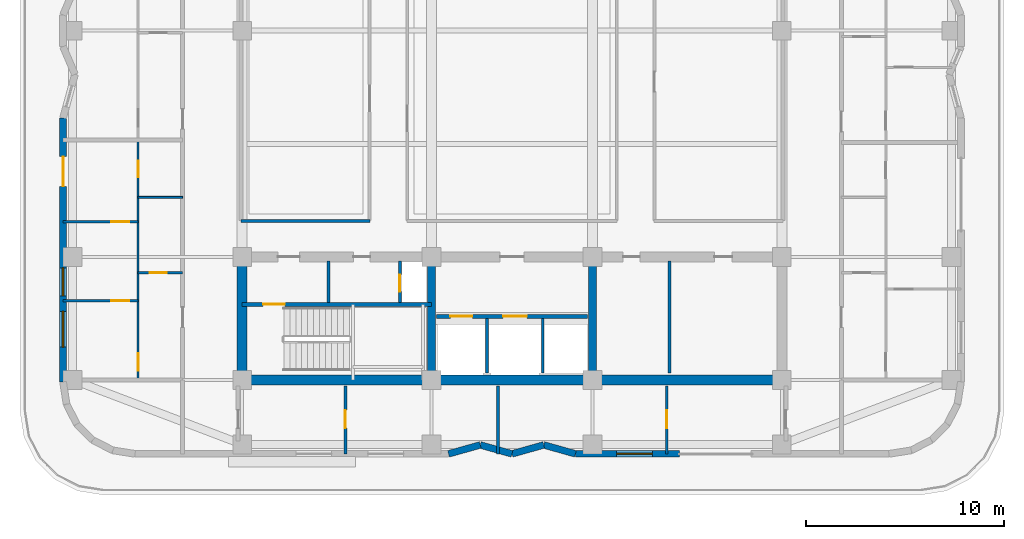
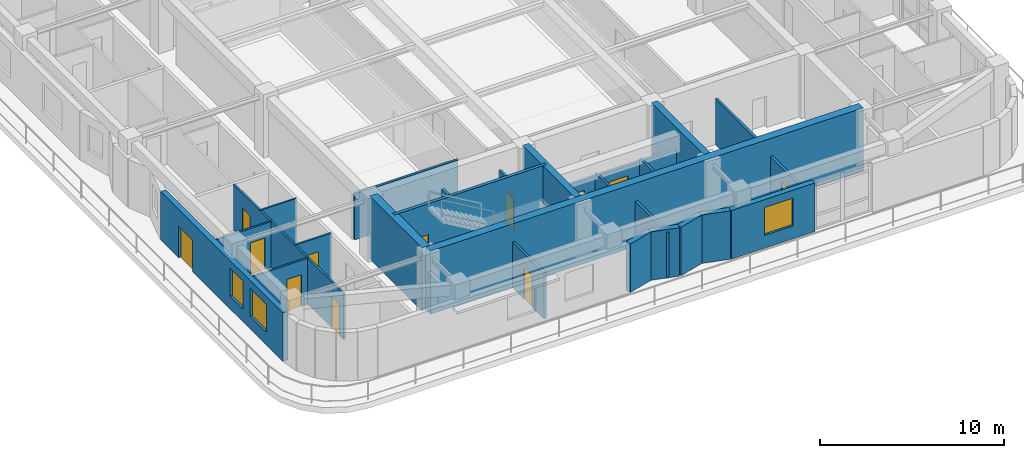
# One storey, part 6 of 14: 26 walls, 12 doors, 3 windows, 15 openings.
"""IFC4 building model written with IfcOpenShell, lengths in metres."""

from ifc_helpers import new_model, si_unit, direction, frame, frame_2d, origin, place, context, subcontext, project, spatial, rectangle, extrude, material, layer, layer_set, type_object, element, fill, save


model = new_model("IFC4")

# Units and contexts
model_context = context("Model", 3, precision=1e-05, world=origin(), true_north=direction((0.0, 1.0)))
body_context = subcontext(model_context, "Body", "Model", "MODEL_VIEW")
ifc_project = project(units=[si_unit("LENGTHUNIT", "METRE"), si_unit("AREAUNIT", "SQUARE_METRE"), si_unit("VOLUMEUNIT", "CUBIC_METRE"), si_unit("PLANEANGLEUNIT", "RADIAN"), si_unit("MASSUNIT", "GRAM", prefix="KILO")], contexts=[model_context])

# Site, building, storey
site_placement = place(None, origin())
site = spatial("IfcSite", under=ifc_project, at=site_placement, CompositionType="ELEMENT")
building_placement = place(site_placement, origin())
building = spatial("IfcBuilding", under=site, at=building_placement, Name="Svetorya Sky Lyceum", CompositionType="ELEMENT")
storey_placement = place(building_placement, frame((0.0, 0.0, 143.60009765625)))
storey = spatial("IfcBuildingStorey", under=building, at=storey_placement, Name="L35", CompositionType="ELEMENT", Elevation=143.60009765625)

# Walls
ifc_material_1 = material(Name="Concrete C40/50", Category="concrete")
ifc_layer_1 = layer(ifc_material_1, 0.39990234375)
ifc_layer_set_1 = layer_set([ifc_layer_1], Name="Concrete C40/50")
wall_type_1 = type_object("IfcWallType", Name="WL-CORE-400", PredefinedType="SHEAR", material=ifc_layer_set_1)
for number, where, z_axis, x_axis, name in (
    (1, (35.14990234375, 10.85009765625, 0.0), (0.0, 0.0, 1.0), (0.0, 1.0, 0.0), "L35 SC Internal Shear Web WEB1"),
    (2, (43.25, 10.85009765625, 0.0), (0.0, 0.0, 1.0), (0.0, 1.0, 0.0), "L35 SC Internal Shear Web WEB2"),
):
    element("IfcWall", number, at=place(storey_placement, frame(where, z_axis=z_axis, x_axis=x_axis)), inside=storey, type_object=wall_type_1, Name=name, PredefinedType="SHEAR", context=body_context, shape_type="SweptSolid", body=[
        extrude(rectangle(XDim=5.699951171875, YDim=0.39990234375, at=frame_2d((2.85009765625, 0.0))), origin(), (0.0, 0.0, 1.0), 4.199951171875),
    ])
ifc_material_2 = material(Name="Concrete C50/60", Category="concrete")
ifc_layer_2 = layer(ifc_material_2, 0.5)
ifc_layer_set_2 = layer_set([ifc_layer_2], Name="Concrete C50/60")
wall_type_2 = type_object("IfcWallType", Name="WL-CORE-500", PredefinedType="SHEAR", material=ifc_layer_set_2)
wall_1_placement = place(storey_placement, frame((52.800048828125, 10.60009765625, 0.0), z_axis=(0.0, 0.0, 1.0), x_axis=(-1.0, 0.0, 0.0)))
element("IfcWall", 3, at=wall_1_placement, inside=storey, type_object=wall_type_2, Name="L35 SC Outer Core Shear Wall", PredefinedType="SHEAR", context=body_context, shape_type="SweptSolid", body=[
    extrude(rectangle(XDim=27.199951171875, YDim=0.5, at=frame_2d((13.60009765625, 0.0))), origin(), (0.0, 0.0, 1.0), 4.199951171875),
])
wall_2_placement = place(storey_placement, frame((25.60009765625, 10.85009765625, 0.0), z_axis=(0.0, 0.0, 1.0), x_axis=(0.0, 1.0, 0.0)))
element("IfcWall", 4, at=wall_2_placement, inside=storey, type_object=wall_type_2, Name="L35 SC West Core Shear Wall", PredefinedType="SHEAR", context=body_context, shape_type="SweptSolid", body=[
    extrude(rectangle(XDim=5.699951171875, YDim=0.5, at=frame_2d((2.85009765625, 0.0))), origin(), (0.0, 0.0, 1.0), 4.199951171875),
])
ifc_material_3 = material(Name="Putilovo limestone rainscreen on autoclaved cellular masonry", Category="masonry")
ifc_layer_3 = layer(ifc_material_3, 0.340087890625)
ifc_layer_set_3 = layer_set([ifc_layer_3], Name="Putilovo limestone rainscreen on autoclaved cellular masonry")
wall_type_3 = type_object("IfcWallType", Name="WL-EXT-340", PredefinedType="SOLIDWALL", material=ifc_layer_set_3)
wall_3_placement = place(storey_placement, frame((36.0, 6.8701171875, 0.0), z_axis=(0.0, 0.0, 1.0), x_axis=(0.962662902433, 0.270703040766, 0.0)))
element("IfcWall", 5, at=wall_3_placement, inside=storey, type_object=wall_type_3, Name="L35 Limestone Exterior Wall 7M", PredefinedType="SOLIDWALL", context=body_context, shape_type="SweptSolid", body=[
    extrude(rectangle(XDim=1.662109375, YDim=0.340087890625, at=frame_2d((0.8310546875, 0.0))), origin(), (0.0, 0.0, 1.0), 3.219970703125),
])
wall_4_placement = place(storey_placement, frame((37.60009765625, 7.320068359375, 0.0), z_axis=(0.0, 0.0, 1.0), x_axis=(0.962652136636, -0.270741322725, 0.0)))
element("IfcWall", 6, at=wall_4_placement, inside=storey, type_object=wall_type_3, Name="L35 Limestone Exterior Wall 8M", PredefinedType="SOLIDWALL", context=body_context, shape_type="SweptSolid", body=[
    extrude(rectangle(XDim=1.661865234375, YDim=0.340087890625, at=frame_2d((0.8310546875, 0.0))), origin(), (0.0, 0.0, 1.0), 3.219970703125),
])
wall_5_placement = place(storey_placement, frame((39.199951171875, 6.8701171875, 0.0), z_axis=(0.0, 0.0, 1.0), x_axis=(0.962662902433, 0.270703040766, 0.0)))
element("IfcWall", 7, at=wall_5_placement, inside=storey, type_object=wall_type_3, Name="L35 Limestone Exterior Wall 9M", PredefinedType="SOLIDWALL", context=body_context, shape_type="SweptSolid", body=[
    extrude(rectangle(XDim=1.662109375, YDim=0.340087890625, at=frame_2d((0.8310546875, 0.0))), origin(), (0.0, 0.0, 1.0), 3.219970703125),
])
wall_6_placement = place(storey_placement, frame((40.800048828125, 7.320068359375, 0.0), z_axis=(0.0, 0.0, 1.0), x_axis=(0.962652136636, -0.270741322725, 0.0)))
element("IfcWall", 8, at=wall_6_placement, inside=storey, type_object=wall_type_3, Name="L35 Limestone Exterior Wall 10M", PredefinedType="SOLIDWALL", context=body_context, shape_type="SweptSolid", body=[
    extrude(rectangle(XDim=1.661865234375, YDim=0.340087890625, at=frame_2d((0.8310546875, 0.0))), origin(), (0.0, 0.0, 1.0), 3.219970703125),
])

# Wall, opening, window
wall_7_placement = place(storey_placement, frame((42.39990234375, 6.8701171875, 0.0), z_axis=(0.0, 0.0, 1.0), x_axis=(1.0, 0.0, 0.0)))
wall_7 = element("IfcWall", 9, at=wall_7_placement, inside=storey, type_object=wall_type_3, Name="L35 Limestone Exterior Wall 11A", PredefinedType="SOLIDWALL", context=body_context, shape_type="SweptSolid", body=[
    extrude(rectangle(XDim=5.25, YDim=0.340087890625, at=frame_2d((2.625, 0.0))), origin(), (0.0, 0.0, 1.0), 3.219970703125),
])
opening_1_placement = place(wall_7_placement, frame((2.074951171875, 0.0, 0.85009765625)))
opening_1 = element("IfcOpeningElement", 10, at=opening_1_placement, cuts=wall_7, Name="Opening W-R1", PredefinedType="OPENING", context=body_context, shape_type="SweptSolid", body=[
    extrude(rectangle(XDim=1.800048828125, YDim=1.85009765625, at=frame_2d((0.89990234375, 0.925048828125))), frame((0.0, 0.179931640625, 0.0), z_axis=(0.0, -1.0, 0.0), x_axis=(1.0, 0.0, 0.0)), (0.0, 0.0, 1.0), 0.360107421875),
])
ifc_material_4 = material(Name="Thermally broken aluminium frame with triple low-E glazing", Category="aluminium")
window_type_1 = type_object("IfcWindowType", Name="WN-RES-180", PartitioningType="DOUBLE_PANEL_VERTICAL", PredefinedType="WINDOW", material=ifc_material_4)
window_1_placement = place(opening_1_placement, origin())
window_1 = element("IfcWindow", 11, at=window_1_placement, inside=storey, type_object=window_type_1, Name="L35 Facade Window W-R1.11A.1", OverallHeight=1.85009765625, OverallWidth=1.800048828125, PartitioningType="SINGLE_PANEL", PredefinedType="WINDOW", context=body_context, shape_type="SweptSolid", body=[
    extrude(rectangle(XDim=1.800048828125, YDim=1.85009765625, at=frame_2d((0.89990234375, 0.925048828125))), frame((0.0, 0.030029296875, 0.0), z_axis=(0.0, -1.0, 0.0), x_axis=(1.0, 0.0, 0.0)), (0.0, 0.0, 1.0), 0.06005859375),
])
fill(opening_1, window_1)

# Wall, openings, door, windows
wall_8_placement = place(storey_placement, frame((16.570068359375, 23.800048828125, 0.0), z_axis=(0.0, 0.0, 1.0), x_axis=(0.0, -1.0, 0.0)))
wall_8 = element("IfcWall", 12, at=wall_8_placement, inside=storey, type_object=wall_type_3, Name="L35 Limestone Exterior Wall 46M", PredefinedType="SOLIDWALL", context=body_context, shape_type="SweptSolid", body=[
    extrude(rectangle(XDim=13.300048828125, YDim=0.340087890625, at=frame_2d((6.64990234375, 0.0))), origin(), (0.0, 0.0, 1.0), 3.219970703125),
])
opening_2_placement = place(wall_8_placement, frame((1.949951171875, 0.0, 0.0)))
opening_2 = element("IfcOpeningElement", 13, at=opening_2_placement, cuts=wall_8, Name="Opening D-TR1", PredefinedType="OPENING", context=body_context, shape_type="SweptSolid", body=[
    extrude(rectangle(XDim=1.5, YDim=2.10009765625, at=frame_2d((0.75, 1.050048828125))), frame((0.0, 0.179931640625, 0.0), z_axis=(0.0, -1.0, 0.0), x_axis=(1.0, 0.0, 0.0)), (0.0, 0.0, 1.0), 0.360107421875),
])
opening_3_placement = place(wall_8_placement, frame((7.56005859375, 0.0, 0.85009765625)))
opening_3 = element("IfcOpeningElement", 14, at=opening_3_placement, cuts=wall_8, Name="Opening W-R2", PredefinedType="OPENING", context=body_context, shape_type="SweptSolid", body=[
    extrude(rectangle(XDim=1.39990234375, YDim=1.85009765625, at=frame_2d((0.699951171875, 0.925048828125))), frame((0.0, 0.179931640625, 0.0), z_axis=(0.0, -1.0, 0.0), x_axis=(1.0, 0.0, 0.0)), (0.0, 0.0, 1.0), 0.360107421875),
])
opening_4_placement = place(wall_8_placement, frame((9.75, 0.0, 0.85009765625)))
opening_4 = element("IfcOpeningElement", 15, at=opening_4_placement, cuts=wall_8, Name="Opening W-R1", PredefinedType="OPENING", context=body_context, shape_type="SweptSolid", body=[
    extrude(rectangle(XDim=1.800048828125, YDim=1.85009765625, at=frame_2d((0.89990234375, 0.925048828125))), frame((0.0, 0.179931640625, 0.0), z_axis=(0.0, -1.0, 0.0), x_axis=(1.0, 0.0, 0.0)), (0.0, 0.0, 1.0), 0.360107421875),
])
ifc_material_5 = material(Name="Insulated glazed aluminium terrace door", Category="aluminium")
door_type_1 = type_object("IfcDoorType", Name="DR-TER-1500", OperationType="DOUBLE_DOOR_SINGLE_SWING", PredefinedType="DOOR", material=ifc_material_5)
door_1_placement = place(opening_2_placement, origin())
door_1 = element("IfcDoor", 16, at=door_1_placement, inside=storey, type_object=door_type_1, Name="L35 Setback Terrace Door", OperationType="DOUBLE_DOOR_SINGLE_SWING", OverallHeight=2.10009765625, OverallWidth=1.5, PredefinedType="DOOR", context=body_context, shape_type="SweptSolid", body=[
    extrude(rectangle(XDim=1.5, YDim=2.10009765625, at=frame_2d((0.75, 1.050048828125))), frame((0.0, 0.02490234375, 0.0), z_axis=(0.0, -1.0, 0.0), x_axis=(1.0, 0.0, 0.0)), (0.0, 0.0, 1.0), 0.050048828125),
])
fill(opening_2, door_1)
window_type_2 = type_object("IfcWindowType", Name="WN-RES-140", PartitioningType="SINGLE_PANEL", PredefinedType="WINDOW", material=ifc_material_4)
window_2_placement = place(opening_3_placement, origin())
window_2 = element("IfcWindow", 17, at=window_2_placement, inside=storey, type_object=window_type_2, Name="L35 Facade Window W-R2.46M.2", OverallHeight=1.85009765625, OverallWidth=1.39990234375, PartitioningType="SINGLE_PANEL", PredefinedType="WINDOW", context=body_context, shape_type="SweptSolid", body=[
    extrude(rectangle(XDim=1.39990234375, YDim=1.85009765625, at=frame_2d((0.699951171875, 0.925048828125))), frame((0.0, 0.030029296875, 0.0), z_axis=(0.0, -1.0, 0.0), x_axis=(1.0, 0.0, 0.0)), (0.0, 0.0, 1.0), 0.06005859375),
])
fill(opening_3, window_2)
window_3_placement = place(opening_4_placement, origin())
window_3 = element("IfcWindow", 18, at=window_3_placement, inside=storey, type_object=window_type_1, Name="L35 Facade Window W-R1.46M.1", OverallHeight=1.85009765625, OverallWidth=1.800048828125, PartitioningType="SINGLE_PANEL", PredefinedType="WINDOW", context=body_context, shape_type="SweptSolid", body=[
    extrude(rectangle(XDim=1.800048828125, YDim=1.85009765625, at=frame_2d((0.89990234375, 0.925048828125))), frame((0.0, 0.030029296875, 0.0), z_axis=(0.0, -1.0, 0.0), x_axis=(1.0, 0.0, 0.0)), (0.0, 0.0, 1.0), 0.06005859375),
])
fill(opening_4, window_3)

# Wall
ifc_material_6 = material(Name="Galvanized stud partition with moisture-resistant board", Category="gypsum")
ifc_layer_4 = layer(ifc_material_6, 0.10009765625)
ifc_layer_set_4 = layer_set([ifc_layer_4], Name="Galvanized stud partition with moisture-resistant board")
wall_type_4 = type_object("IfcWallType", Name="WL-PART-100", PredefinedType="PARTITIONING", material=ifc_layer_set_4)
wall_9_placement = place(storey_placement, frame((20.35009765625, 19.800048828125, 0.0), z_axis=(0.0, 0.0, 1.0), x_axis=(1.0, 0.0, 0.0)))
element("IfcWall", 19, at=wall_9_placement, inside=storey, type_object=wall_type_4, Name="L35 Interior Partition W1-WH2", PredefinedType="PARTITIONING", context=body_context, shape_type="SweptSolid", body=[
    extrude(rectangle(XDim=2.25, YDim=0.10009765625, at=frame_2d((1.125, 0.0))), origin(), (0.0, 0.0, 1.0), 3.0498046875),
])

# Wall, opening, door
ifc_material_7 = material(Name="Twin-stud galvanized framing with double fireboard", Category="gypsum")
ifc_layer_5 = layer(ifc_material_7, 0.1201171875)
ifc_layer_set_5 = layer_set([ifc_layer_5], Name="Twin-stud galvanized framing with double fireboard")
wall_type_5 = type_object("IfcWallType", Name="WL-PART-120", PredefinedType="PARTITIONING", material=ifc_layer_set_5)
wall_10_placement = place(storey_placement, frame((20.35009765625, 16.0, 0.0), z_axis=(0.0, 0.0, 1.0), x_axis=(1.0, 0.0, 0.0)))
wall_10 = element("IfcWall", 20, at=wall_10_placement, inside=storey, type_object=wall_type_5, Name="L35 Interior Partition W1-WH1", PredefinedType="PARTITIONING", context=body_context, shape_type="SweptSolid", body=[
    extrude(rectangle(XDim=2.25, YDim=0.1201171875, at=frame_2d((1.125, 0.0))), origin(), (0.0, 0.0, 1.0), 3.0498046875),
])
opening_5_placement = place(wall_10_placement, frame((0.60009765625, 0.0, 0.0)))
opening_5 = element("IfcOpeningElement", 21, at=opening_5_placement, cuts=wall_10, Name="Opening D-BT1", PredefinedType="OPENING", context=body_context, shape_type="SweptSolid", body=[
    extrude(rectangle(XDim=0.85009765625, YDim=2.10009765625, at=frame_2d((0.425048828125, 1.050048828125))), frame((0.0, 0.070068359375, 0.0), z_axis=(0.0, -1.0, 0.0), x_axis=(1.0, 0.0, 0.0)), (0.0, 0.0, 1.0), 0.14013671875),
])
ifc_material_8 = material(Name="Moisture-resistant laminate bathroom door")
door_type_2 = type_object("IfcDoorType", Name="DR-WET-850", OperationType="SINGLE_SWING_LEFT", PredefinedType="DOOR", material=ifc_material_8)
door_2_placement = place(opening_5_placement, origin())
door_2 = element("IfcDoor", 22, at=door_2_placement, inside=storey, type_object=door_type_2, Name="Apartment W1 Bathroom Door", OperationType="SINGLE_SWING_LEFT", OverallHeight=2.10009765625, OverallWidth=0.85009765625, PredefinedType="DOOR", context=body_context, shape_type="SweptSolid", body=[
    extrude(rectangle(XDim=0.85009765625, YDim=2.10009765625, at=frame_2d((0.425048828125, 1.050048828125))), frame((0.0, 0.02490234375, 0.0), z_axis=(0.0, -1.0, 0.0), x_axis=(1.0, 0.0, 0.0)), (0.0, 0.0, 1.0), 0.050048828125),
])
fill(opening_5, door_2)

wall_11_placement = place(storey_placement, frame((16.570068359375, 14.580078125, 0.0), z_axis=(0.0, 0.0, 1.0), x_axis=(1.0, 0.0, 0.0)))
wall_11 = element("IfcWall", 23, at=wall_11_placement, inside=storey, type_object=wall_type_5, Name="L35 Interior Partition W1-WL1", PredefinedType="PARTITIONING", context=body_context, shape_type="SweptSolid", body=[
    extrude(rectangle(XDim=3.780029296875, YDim=0.1201171875, at=frame_2d((1.89013671875, 0.0))), origin(), (0.0, 0.0, 1.0), 3.0498046875),
])
opening_6_placement = place(wall_11_placement, frame((2.429931640625, 0.0, 0.0)))
opening_6 = element("IfcOpeningElement", 24, at=opening_6_placement, cuts=wall_11, Name="Opening D-RM1", PredefinedType="OPENING", context=body_context, shape_type="SweptSolid", body=[
    extrude(rectangle(XDim=0.89990234375, YDim=2.10009765625, at=frame_2d((0.449951171875, 1.050048828125))), frame((0.0, 0.070068359375, 0.0), z_axis=(0.0, -1.0, 0.0), x_axis=(1.0, 0.0, 0.0)), (0.0, 0.0, 1.0), 0.14013671875),
])
ifc_material_9 = material(Name="Lacquered birch veneer internal door")
door_type_3 = type_object("IfcDoorType", Name="DR-INT-900", OperationType="SINGLE_SWING_LEFT", PredefinedType="DOOR", material=ifc_material_9)
door_3_placement = place(opening_6_placement, origin())
door_3 = element("IfcDoor", 25, at=door_3_placement, inside=storey, type_object=door_type_3, Name="Apartment W1 Master Bedroom Door", OperationType="SINGLE_SWING_LEFT", OverallHeight=2.10009765625, OverallWidth=0.89990234375, PredefinedType="DOOR", context=body_context, shape_type="SweptSolid", body=[
    extrude(rectangle(XDim=0.89990234375, YDim=2.10009765625, at=frame_2d((0.449951171875, 1.050048828125))), frame((0.0, 0.02490234375, 0.0), z_axis=(0.0, -1.0, 0.0), x_axis=(1.0, 0.0, 0.0)), (0.0, 0.0, 1.0), 0.050048828125),
])
fill(opening_6, door_3)

wall_12_placement = place(storey_placement, frame((16.570068359375, 18.580078125, 0.0), z_axis=(0.0, 0.0, 1.0), x_axis=(1.0, 0.0, 0.0)))
wall_12 = element("IfcWall", 26, at=wall_12_placement, inside=storey, type_object=wall_type_5, Name="L35 Interior Partition W1-WL2", PredefinedType="PARTITIONING", context=body_context, shape_type="SweptSolid", body=[
    extrude(rectangle(XDim=3.780029296875, YDim=0.1201171875, at=frame_2d((1.89013671875, 0.0))), origin(), (0.0, 0.0, 1.0), 3.0498046875),
])
opening_7_placement = place(wall_12_placement, frame((2.429931640625, 0.0, 0.0)))
opening_7 = element("IfcOpeningElement", 27, at=opening_7_placement, cuts=wall_12, Name="Opening D-RM1", PredefinedType="OPENING", context=body_context, shape_type="SweptSolid", body=[
    extrude(rectangle(XDim=0.89990234375, YDim=2.10009765625, at=frame_2d((0.449951171875, 1.050048828125))), frame((0.0, 0.070068359375, 0.0), z_axis=(0.0, -1.0, 0.0), x_axis=(1.0, 0.0, 0.0)), (0.0, 0.0, 1.0), 0.14013671875),
])
door_4_placement = place(opening_7_placement, origin())
door_4 = element("IfcDoor", 28, at=door_4_placement, inside=storey, type_object=door_type_3, Name="Apartment W1 Bedroom 2 Door", OperationType="SINGLE_SWING_RIGHT", OverallHeight=2.10009765625, OverallWidth=0.89990234375, PredefinedType="DOOR", context=body_context, shape_type="SweptSolid", body=[
    extrude(rectangle(XDim=0.89990234375, YDim=2.10009765625, at=frame_2d((0.449951171875, 1.050048828125))), frame((0.0, 0.02490234375, 0.0), z_axis=(0.0, -1.0, 0.0), x_axis=(1.0, 0.0, 0.0)), (0.0, 0.0, 1.0), 0.050048828125),
])
fill(opening_7, door_4)

# Wall, openings, doors
wall_13_placement = place(storey_placement, frame((20.35009765625, 10.639892578125, 0.0), z_axis=(0.0, 0.0, 1.0), x_axis=(0.0, 1.0, 0.0)))
wall_13 = element("IfcWall", 29, at=wall_13_placement, inside=storey, type_object=wall_type_5, Name="L35 Interior Partition W1-WV", PredefinedType="PARTITIONING", context=body_context, shape_type="SweptSolid", body=[
    extrude(rectangle(XDim=12.02001953125, YDim=0.1201171875, at=frame_2d((6.010009765625, 0.0))), origin(), (0.0, 0.0, 1.0), 3.0498046875),
])
opening_8_placement = place(wall_13_placement, frame((0.409912109375, 0.0, 0.0)))
opening_8 = element("IfcOpeningElement", 30, at=opening_8_placement, cuts=wall_13, Name="Opening D-RM1", PredefinedType="OPENING", context=body_context, shape_type="SweptSolid", body=[
    extrude(rectangle(XDim=0.89990234375, YDim=2.10009765625, at=frame_2d((0.449951171875, 1.050048828125))), frame((0.0, 0.070068359375, 0.0), z_axis=(0.0, -1.0, 0.0), x_axis=(1.0, 0.0, 0.0)), (0.0, 0.0, 1.0), 0.14013671875),
])
opening_9_placement = place(wall_13_placement, frame((10.18505859375, 0.0, 0.0)))
opening_9 = element("IfcOpeningElement", 31, at=opening_9_placement, cuts=wall_13, Name="Opening D-BT2", PredefinedType="OPENING", context=body_context, shape_type="SweptSolid", body=[
    extrude(rectangle(XDim=0.820068359375, YDim=2.080078125, at=frame_2d((0.41015625, 1.0400390625))), frame((0.0, 0.070068359375, 0.0), z_axis=(0.0, -1.0, 0.0), x_axis=(1.0, 0.0, 0.0)), (0.0, 0.0, 1.0), 0.14013671875),
])
door_5_placement = place(opening_8_placement, origin())
door_5 = element("IfcDoor", 32, at=door_5_placement, inside=storey, type_object=door_type_3, Name="Apartment W1 Living Door", OperationType="SINGLE_SWING_RIGHT", OverallHeight=2.10009765625, OverallWidth=0.89990234375, PredefinedType="DOOR", context=body_context, shape_type="SweptSolid", body=[
    extrude(rectangle(XDim=0.89990234375, YDim=2.10009765625, at=frame_2d((0.449951171875, 1.050048828125))), frame((0.0, 0.02490234375, 0.0), z_axis=(0.0, -1.0, 0.0), x_axis=(1.0, 0.0, 0.0)), (0.0, 0.0, 1.0), 0.050048828125),
])
fill(opening_8, door_5)
ifc_material_10 = material(Name="Compact moisture-resistant laminate closet door")
door_type_4 = type_object("IfcDoorType", Name="DR-WET-820", OperationType="SINGLE_SWING_LEFT", PredefinedType="DOOR", material=ifc_material_10)
door_6_placement = place(opening_9_placement, origin())
door_6 = element("IfcDoor", 33, at=door_6_placement, inside=storey, type_object=door_type_4, Name="Apartment W1 Study Door", OperationType="SINGLE_SWING_LEFT", OverallHeight=2.080078125, OverallWidth=0.820068359375, PredefinedType="DOOR", context=body_context, shape_type="SweptSolid", body=[
    extrude(rectangle(XDim=0.820068359375, YDim=2.080078125, at=frame_2d((0.41015625, 1.0400390625))), frame((0.0, 0.02490234375, 0.0), z_axis=(0.0, -1.0, 0.0), x_axis=(1.0, 0.0, 0.0)), (0.0, 0.0, 1.0), 0.050048828125),
])
fill(opening_9, door_6)

# Wall
ifc_material_11 = material(Name="Autoclaved cellular masonry blockwork with acoustic render", Category="masonry")
ifc_layer_6 = layer(ifc_material_11, 0.14990234375)
ifc_layer_set_6 = layer_set([ifc_layer_6], Name="Autoclaved cellular masonry blockwork with acoustic render")
wall_type_6 = type_object("IfcWallType", Name="WL-PART-150", PredefinedType="PARTITIONING", material=ifc_layer_set_6)
wall_14_placement = place(storey_placement, frame((29.949951171875, 14.5, 0.0), z_axis=(0.0, 0.0, 1.0), x_axis=(0.0, 1.0, 0.0)))
element("IfcWall", 34, at=wall_14_placement, inside=storey, type_object=wall_type_6, Name="L35 Interior Partition SC-SWD1", PredefinedType="PARTITIONING", context=body_context, shape_type="SweptSolid", body=[
    extrude(rectangle(XDim=2.080078125, YDim=0.14990234375, at=frame_2d((1.0400390625, 0.0))), origin(), (0.0, 0.0, 1.0), 3.0498046875),
])

# Wall, opening, door
wall_15_placement = place(storey_placement, frame((33.550048828125, 14.5, 0.0), z_axis=(0.0, 0.0, 1.0), x_axis=(0.0, 1.0, 0.0)))
wall_15 = element("IfcWall", 35, at=wall_15_placement, inside=storey, type_object=wall_type_6, Name="L35 Interior Partition SC-SWD2", PredefinedType="PARTITIONING", context=body_context, shape_type="SweptSolid", body=[
    extrude(rectangle(XDim=2.080078125, YDim=0.14990234375, at=frame_2d((1.0400390625, 0.0))), origin(), (0.0, 0.0, 1.0), 3.0498046875),
])
opening_10_placement = place(wall_15_placement, frame((0.550048828125, 0.0, 0.0)))
opening_10 = element("IfcOpeningElement", 36, at=opening_10_placement, cuts=wall_15, Name="Opening D-SH1", PredefinedType="OPENING", context=body_context, shape_type="SweptSolid", body=[
    extrude(rectangle(XDim=0.85009765625, YDim=2.050048828125, at=frame_2d((0.425048828125, 1.02490234375))), frame((0.0, 0.0849609375, 0.0), z_axis=(0.0, -1.0, 0.0), x_axis=(1.0, 0.0, 0.0)), (0.0, 0.0, 1.0), 0.169921875),
])
ifc_material_12 = material(Name="Insulated galvanized riser inspection fire door")
door_type_5 = type_object("IfcDoorType", Name="DR-SHFT-850", OperationType="SINGLE_SWING_LEFT", PredefinedType="TRAPDOOR", material=ifc_material_12)
door_7_placement = place(opening_10_placement, origin())
door_7 = element("IfcDoor", 37, at=door_7_placement, inside=storey, type_object=door_type_5, Name="L35 South Riser Access Door", OperationType="SINGLE_SWING_RIGHT", OverallHeight=2.050048828125, OverallWidth=0.85009765625, PredefinedType="TRAPDOOR", context=body_context, shape_type="SweptSolid", body=[
    extrude(rectangle(XDim=0.85009765625, YDim=2.050048828125, at=frame_2d((0.425048828125, 1.02490234375))), frame((0.0, 0.02490234375, 0.0), z_axis=(0.0, -1.0, 0.0), x_axis=(1.0, 0.0, 0.0)), (0.0, 0.0, 1.0), 0.050048828125),
])
fill(opening_10, door_7)

# Walls
for number, where, z_axis, x_axis, name in (
    (38, (37.949951171875, 10.949951171875, 0.0), (0.0, 0.0, 1.0), (0.0, 1.0, 0.0), "L35 Interior Partition SC-SHD1"),
    (39, (40.75, 10.949951171875, 0.0), (0.0, 0.0, 1.0), (0.0, 1.0, 0.0), "L35 Interior Partition SC-SHD2"),
):
    element("IfcWall", number, at=place(storey_placement, frame(where, z_axis=z_axis, x_axis=x_axis)), inside=storey, type_object=wall_type_6, Name=name, PredefinedType="PARTITIONING", context=body_context, shape_type="SweptSolid", body=[
        extrude(rectangle(XDim=2.75, YDim=0.14990234375, at=frame_2d((1.375, 0.0))), origin(), (0.0, 0.0, 1.0), 3.0498046875),
    ])
wall_16_placement = place(storey_placement, frame((47.14990234375, 10.949951171875, 0.0), z_axis=(0.0, 0.0, 1.0), x_axis=(0.0, 1.0, 0.0)))
element("IfcWall", 40, at=wall_16_placement, inside=storey, type_object=wall_type_6, Name="L35 Interior Partition SC-LV7-VA", PredefinedType="PARTITIONING", context=body_context, shape_type="SweptSolid", body=[
    extrude(rectangle(XDim=5.630126953125, YDim=0.14990234375, at=frame_2d((2.81494140625, 0.0))), origin(), (0.0, 0.0, 1.0), 3.0498046875),
])
wall_17_placement = place(storey_placement, frame((25.550048828125, 18.60009765625, 0.0), z_axis=(0.0, 0.0, 1.0), x_axis=(1.0, 0.0, 0.0)))
element("IfcWall", 41, at=wall_17_placement, inside=storey, type_object=wall_type_6, Name="L35 Interior Partition RL-CS-W", PredefinedType="PARTITIONING", context=body_context, shape_type="SweptSolid", body=[
    extrude(rectangle(XDim=6.5, YDim=0.14990234375, at=frame_2d((3.25, 0.0))), origin(), (0.0, 0.0, 1.0), 3.0498046875),
])

# Wall, opening, door
wall_18_placement = place(storey_placement, frame((30.800048828125, 6.8701171875, 0.0), z_axis=(0.0, 0.0, 1.0), x_axis=(0.0, 1.0, 0.0)))
wall_18 = element("IfcWall", 42, at=wall_18_placement, inside=storey, type_object=wall_type_6, Name="L35 Interior Partition S4-D1", PredefinedType="PARTITIONING", context=body_context, shape_type="SweptSolid", body=[
    extrude(rectangle(XDim=3.429931640625, YDim=0.14990234375, at=frame_2d((1.71484375, 0.0))), origin(), (0.0, 0.0, 1.0), 3.0498046875),
])
opening_11_placement = place(wall_18_placement, frame((1.300048828125, 0.0, 0.0)))
opening_11 = element("IfcOpeningElement", 43, at=opening_11_placement, cuts=wall_18, Name="Opening D-RM1", PredefinedType="OPENING", context=body_context, shape_type="SweptSolid", body=[
    extrude(rectangle(XDim=0.89990234375, YDim=2.10009765625, at=frame_2d((0.449951171875, 1.050048828125))), frame((0.0, 0.0849609375, 0.0), z_axis=(0.0, -1.0, 0.0), x_axis=(1.0, 0.0, 0.0)), (0.0, 0.0, 1.0), 0.169921875),
])
door_8_placement = place(opening_11_placement, origin())
door_8 = element("IfcDoor", 44, at=door_8_placement, inside=storey, type_object=door_type_3, Name="L35 South Suite Door 1", OperationType="SINGLE_SWING_LEFT", OverallHeight=2.10009765625, OverallWidth=0.89990234375, PredefinedType="DOOR", context=body_context, shape_type="SweptSolid", body=[
    extrude(rectangle(XDim=0.89990234375, YDim=2.10009765625, at=frame_2d((0.449951171875, 1.050048828125))), frame((0.0, 0.02490234375, 0.0), z_axis=(0.0, -1.0, 0.0), x_axis=(1.0, 0.0, 0.0)), (0.0, 0.0, 1.0), 0.050048828125),
])
fill(opening_11, door_8)

# Wall
wall_19_placement = place(storey_placement, frame((38.5, 6.8701171875, 0.0), z_axis=(0.0, 0.0, 1.0), x_axis=(0.0, 1.0, 0.0)))
element("IfcWall", 45, at=wall_19_placement, inside=storey, type_object=wall_type_6, Name="L35 Interior Partition S4-D2", PredefinedType="PARTITIONING", context=body_context, shape_type="SweptSolid", body=[
    extrude(rectangle(XDim=3.429931640625, YDim=0.14990234375, at=frame_2d((1.71484375, 0.0))), origin(), (0.0, 0.0, 1.0), 3.0498046875),
])

# Wall, opening, door
wall_20_placement = place(storey_placement, frame((47.0, 6.8701171875, 0.0), z_axis=(0.0, 0.0, 1.0), x_axis=(0.0, 1.0, 0.0)))
wall_20 = element("IfcWall", 46, at=wall_20_placement, inside=storey, type_object=wall_type_6, Name="L35 Interior Partition S4-D3", PredefinedType="PARTITIONING", context=body_context, shape_type="SweptSolid", body=[
    extrude(rectangle(XDim=3.429931640625, YDim=0.14990234375, at=frame_2d((1.71484375, 0.0))), origin(), (0.0, 0.0, 1.0), 3.0498046875),
])
opening_12_placement = place(wall_20_placement, frame((1.300048828125, 0.0, 0.0)))
opening_12 = element("IfcOpeningElement", 47, at=opening_12_placement, cuts=wall_20, Name="Opening D-RM1", PredefinedType="OPENING", context=body_context, shape_type="SweptSolid", body=[
    extrude(rectangle(XDim=0.89990234375, YDim=2.10009765625, at=frame_2d((0.449951171875, 1.050048828125))), frame((0.0, 0.0849609375, 0.0), z_axis=(0.0, -1.0, 0.0), x_axis=(1.0, 0.0, 0.0)), (0.0, 0.0, 1.0), 0.169921875),
])
door_9_placement = place(opening_12_placement, origin())
door_9 = element("IfcDoor", 48, at=door_9_placement, inside=storey, type_object=door_type_3, Name="L35 South Suite Door 3", OperationType="SINGLE_SWING_LEFT", OverallHeight=2.10009765625, OverallWidth=0.89990234375, PredefinedType="DOOR", context=body_context, shape_type="SweptSolid", body=[
    extrude(rectangle(XDim=0.89990234375, YDim=2.10009765625, at=frame_2d((0.449951171875, 1.050048828125))), frame((0.0, 0.02490234375, 0.0), z_axis=(0.0, -1.0, 0.0), x_axis=(1.0, 0.0, 0.0)), (0.0, 0.0, 1.0), 0.050048828125),
])
fill(opening_12, door_9)

# Wall, openings, doors
ifc_material_13 = material(Name="Autoclaved cellular masonry blockwork with gypsum plaster", Category="masonry")
ifc_layer_7 = layer(ifc_material_13, 0.199951171875)
ifc_layer_set_7 = layer_set([ifc_layer_7], Name="Autoclaved cellular masonry blockwork with gypsum plaster")
wall_type_7 = type_object("IfcWallType", Name="WL-PART-200", PredefinedType="PARTITIONING", material=ifc_layer_set_7)
wall_21_placement = place(storey_placement, frame((35.39990234375, 13.800048828125, 0.0), z_axis=(0.0, 0.0, 1.0), x_axis=(1.0, 0.0, 0.0)))
wall_21 = element("IfcWall", 49, at=wall_21_placement, inside=storey, type_object=wall_type_7, Name="L35 Interior Partition SC-FLW", PredefinedType="PARTITIONING", context=body_context, shape_type="SweptSolid", body=[
    extrude(rectangle(XDim=7.60009765625, YDim=0.199951171875, at=frame_2d((3.800048828125, 0.0))), origin(), (0.0, 0.0, 1.0), 2.81982421875),
])
opening_13_placement = place(wall_21_placement, frame((0.699951171875, 0.0, 0.0)))
opening_13 = element("IfcOpeningElement", 50, at=opening_13_placement, cuts=wall_21, Name="Opening LD-FL", PredefinedType="OPENING", context=body_context, shape_type="SweptSolid", body=[
    extrude(rectangle(XDim=1.10009765625, YDim=2.14990234375, at=frame_2d((0.550048828125, 1.074951171875))), frame((0.0, 0.10986328125, 0.0), z_axis=(0.0, -1.0, 0.0), x_axis=(1.0, 0.0, 0.0)), (0.0, 0.0, 1.0), 0.219970703125),
])
opening_14_placement = place(wall_21_placement, frame((3.35009765625, 0.0, 0.0)))
opening_14 = element("IfcOpeningElement", 51, at=opening_14_placement, cuts=wall_21, Name="Opening LD-SV", PredefinedType="OPENING", context=body_context, shape_type="SweptSolid", body=[
    extrude(rectangle(XDim=1.199951171875, YDim=2.14990234375, at=frame_2d((0.60009765625, 1.074951171875))), frame((0.0, 0.10986328125, 0.0), z_axis=(0.0, -1.0, 0.0), x_axis=(1.0, 0.0, 0.0)), (0.0, 0.0, 1.0), 0.219970703125),
])
ifc_material_14 = material(Name="Fire-rated stainless AISI 304 firefighting lift landing door")
door_type_6 = type_object("IfcDoorType", Name="DR-LIFT-1100", OperationType="SLIDING_TO_LEFT", PredefinedType="DOOR", material=ifc_material_14)
door_10_placement = place(opening_13_placement, origin())
door_10 = element("IfcDoor", 52, at=door_10_placement, inside=storey, type_object=door_type_6, Name="L35 Firefighting Lift FL2 Landing Door", OperationType="SLIDING_TO_LEFT", OverallHeight=2.14990234375, OverallWidth=1.10009765625, PredefinedType="DOOR", context=body_context, shape_type="SweptSolid", body=[
    extrude(rectangle(XDim=1.10009765625, YDim=2.14990234375, at=frame_2d((0.550048828125, 1.074951171875))), frame((0.0, 0.02490234375, 0.0), z_axis=(0.0, -1.0, 0.0), x_axis=(1.0, 0.0, 0.0)), (0.0, 0.0, 1.0), 0.050048828125),
])
fill(opening_13, door_10)
ifc_material_15 = material(Name="Brushed stainless AISI 304 telescopic lift landing door")
door_type_7 = type_object("IfcDoorType", Name="DR-LIFT-1200", OperationType="SLIDING_TO_LEFT", PredefinedType="DOOR", material=ifc_material_15)
door_11_placement = place(opening_14_placement, origin())
door_11 = element("IfcDoor", 53, at=door_11_placement, inside=storey, type_object=door_type_7, Name="L35 Service Lift SVL1 Landing Door", OperationType="SLIDING_TO_LEFT", OverallHeight=2.14990234375, OverallWidth=1.199951171875, PredefinedType="DOOR", context=body_context, shape_type="SweptSolid", body=[
    extrude(rectangle(XDim=1.199951171875, YDim=2.14990234375, at=frame_2d((0.60009765625, 1.074951171875))), frame((0.0, 0.02490234375, 0.0), z_axis=(0.0, -1.0, 0.0), x_axis=(1.0, 0.0, 0.0)), (0.0, 0.0, 1.0), 0.050048828125),
])
fill(opening_14, door_11)

# Wall, opening, door
ifc_layer_8 = layer(ifc_material_2, 0.199951171875)
ifc_layer_set_8 = layer_set([ifc_layer_8], Name="Concrete C50/60")
wall_type_8 = type_object("IfcWallType", Name="WL-SHW-200", PredefinedType="SHEAR", material=ifc_layer_set_8)
wall_22_placement = place(storey_placement, frame((25.60009765625, 14.39990234375, 0.0), z_axis=(0.0, 0.0, 1.0), x_axis=(1.0, 0.0, 0.0)))
wall_22 = element("IfcWall", 54, at=wall_22_placement, inside=storey, type_object=wall_type_8, Name="L35 Structural Stair Shaft Wall SC-STW", PredefinedType="SHEAR", context=body_context, shape_type="SweptSolid", body=[
    extrude(rectangle(XDim=9.5498046875, YDim=0.199951171875, at=frame_2d((4.77490234375, 0.0))), origin(), (0.0, 0.0, 1.0), 4.199951171875),
])
opening_15_placement = place(wall_22_placement, frame((1.050048828125, 0.0, 0.0)))
opening_15 = element("IfcOpeningElement", 55, at=opening_15_placement, cuts=wall_22, Name="Opening D-ST1", PredefinedType="OPENING", context=body_context, shape_type="SweptSolid", body=[
    extrude(rectangle(XDim=1.10009765625, YDim=2.14990234375, at=frame_2d((0.550048828125, 1.074951171875))), frame((0.0, 0.10986328125, 0.0), z_axis=(0.0, -1.0, 0.0), x_axis=(1.0, 0.0, 0.0)), (0.0, 0.0, 1.0), 0.219970703125),
])
ifc_material_16 = material(Name="Powder-coated insulated galvanized stair fire door")
door_type_8 = type_object("IfcDoorType", Name="DR-FIRE-1100", OperationType="SINGLE_SWING_LEFT", PredefinedType="DOOR", material=ifc_material_16)
door_12_placement = place(opening_15_placement, origin())
door_12 = element("IfcDoor", 56, at=door_12_placement, inside=storey, type_object=door_type_8, Name="L35 Stair ST-S Vestibule Fire Door", OperationType="SINGLE_SWING_LEFT", OverallHeight=2.14990234375, OverallWidth=1.10009765625, PredefinedType="DOOR", context=body_context, shape_type="SweptSolid", body=[
    extrude(rectangle(XDim=1.10009765625, YDim=2.14990234375, at=frame_2d((0.550048828125, 1.074951171875))), frame((0.0, 0.02490234375, 0.0), z_axis=(0.0, -1.0, 0.0), x_axis=(1.0, 0.0, 0.0)), (0.0, 0.0, 1.0), 0.050048828125),
])
fill(opening_15, door_12)

save(model, "model.ifc")
